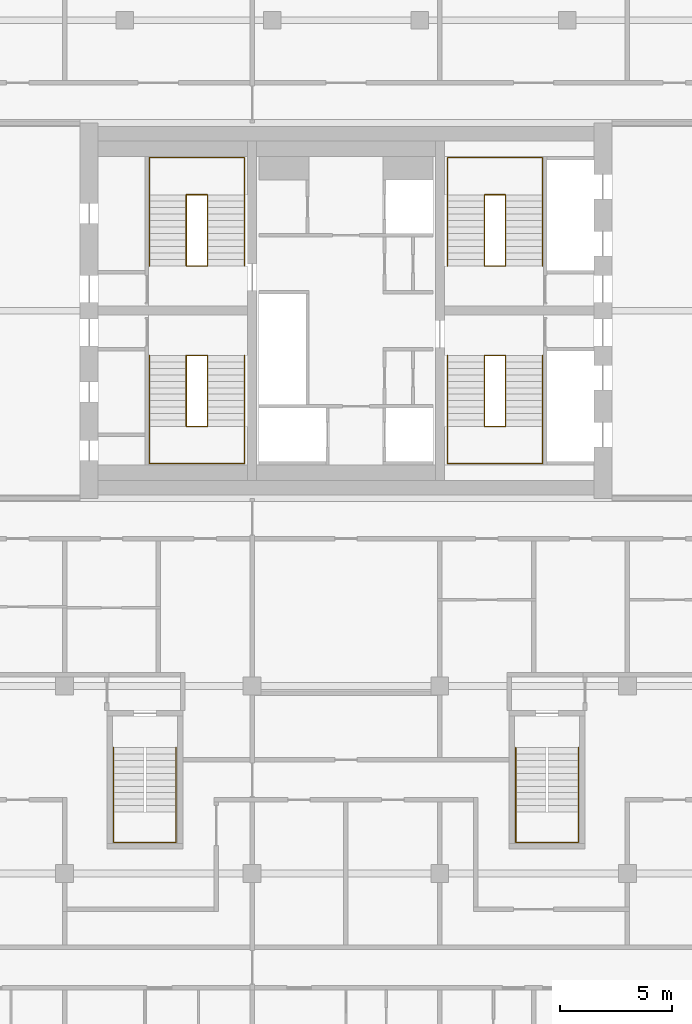
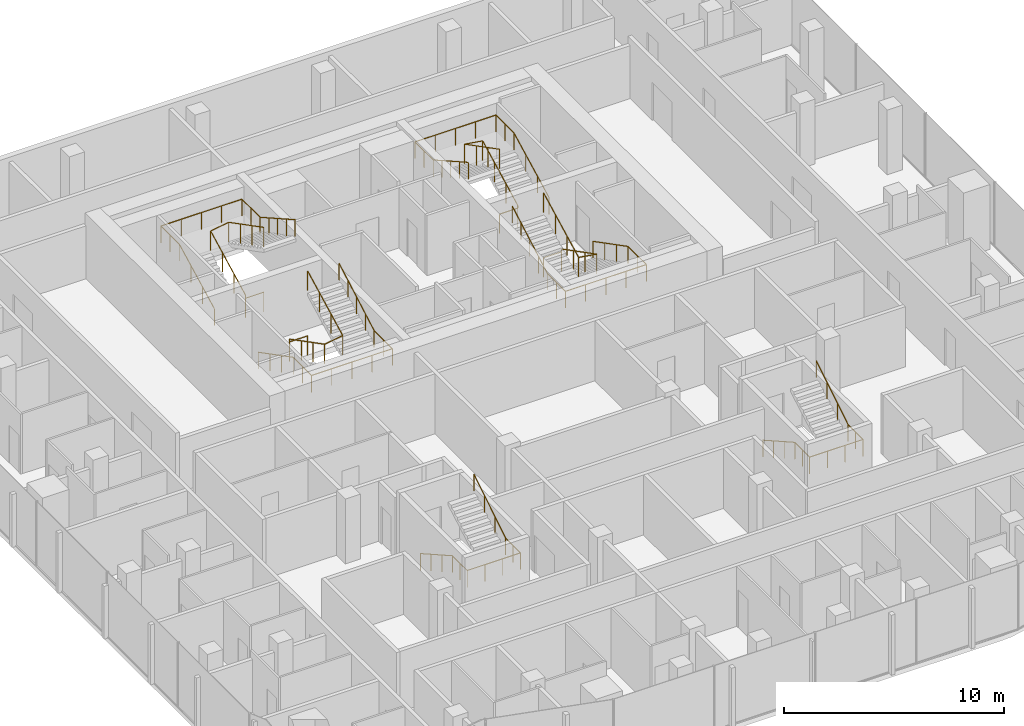
# One storey, part 22 of 22: 10 railings.
"""IFC4 building model written with IfcOpenShell, lengths in metres."""

from ifc_helpers import new_model, si_unit, direction, frame, origin, origin_2d, place, context, subcontext, project, spatial, circle, extrude, material, type_object, element, save


model = new_model("IFC4")

# Units and contexts
model_context = context("Model", 3, precision=1e-05, world=origin(), true_north=direction((0.0, 1.0)))
body_context = subcontext(model_context, "Body", "Model", "MODEL_VIEW")
ifc_project = project(units=[si_unit("LENGTHUNIT", "METRE"), si_unit("AREAUNIT", "SQUARE_METRE"), si_unit("VOLUMEUNIT", "CUBIC_METRE"), si_unit("PLANEANGLEUNIT", "RADIAN"), si_unit("MASSUNIT", "GRAM", prefix="KILO")], contexts=[model_context])

# Site, building, storey
site_placement = place(None, origin())
site = spatial("IfcSite", under=ifc_project, at=site_placement, CompositionType="ELEMENT")
building_placement = place(site_placement, origin())
building = spatial("IfcBuilding", under=site, at=building_placement, Name="Marenta Gate Hotel Tower", CompositionType="ELEMENT")
storey_placement = place(building_placement, frame((0.0, 0.0, 223.699951171875)))
storey = spatial("IfcBuildingStorey", under=building, at=storey_placement, Name="L52", CompositionType="ELEMENT", Elevation=223.699951171875)

# Railings
ifc_material_1 = material(Name="Stainless steel", Category="steel")
railing_type_1 = type_object("IfcRailingType", Name="Core stair handrail 950", PredefinedType="HANDRAIL", material=ifc_material_1)
railing_1_placement = place(storey_placement, frame((-8.800048828125, 6.39990234375, 0.150146484375)))
element("IfcRailing", 1, at=railing_1_placement, inside=storey, type_object=railing_type_1, Name="HR-950 L52-KR-ST1-1", PredefinedType="HANDRAIL", context=body_context, shape_type="SweptSolid", body=[
    extrude(circle(Radius=0.02392578125, at=origin_2d()), frame((0.0, 0.0, 0.92578125), z_axis=(0.0, -0.888225295554, 0.459408123936), x_axis=(1.0, 0.0, 0.0)), (0.0, 0.0, 1.0), 3.59130859375),
    extrude(circle(Radius=0.02392578125, at=origin_2d()), frame((0.0, -3.18994140625, 2.57568359375), z_axis=(0.0, -1.0, 0.0), x_axis=(1.0, 0.0, 0.0)), (0.0, 0.0, 1.0), 1.659912109375),
    extrude(circle(Radius=0.02392578125, at=origin_2d()), frame((0.0, -4.849853515625, 2.57568359375), z_axis=(1.0, 0.0, 0.0), x_axis=(0.0, 1.0, 0.0)), (0.0, 0.0, 1.0), 4.25),
    extrude(circle(Radius=0.02392578125, at=origin_2d()), frame((4.25, -4.849853515625, 2.57568359375), z_axis=(0.0, 1.0, 0.0), x_axis=(-1.0, 0.0, 0.0)), (0.0, 0.0, 1.0), 1.659912109375),
    extrude(circle(Radius=0.02392578125, at=origin_2d()), frame((4.25, -3.18994140625, 2.57568359375), z_axis=(0.0, 0.87090897868, 0.491444351738), x_axis=(-1.0, 0.0, 0.0)), (0.0, 0.0, 1.0), 3.662841796875),
    extrude(circle(Radius=0.02099609375, at=origin_2d()), origin(), (0.0, 0.0, 1.0), 0.90185546875),
    extrude(circle(Radius=0.02099609375, at=origin_2d()), frame((0.0, -1.063232421875, 0.550048828125)), (0.0, 0.0, 1.0), 0.90185546875),
    extrude(circle(Radius=0.02099609375, at=origin_2d()), frame((0.0, -2.126708984375, 1.099853515625)), (0.0, 0.0, 1.0), 0.90185546875),
    extrude(circle(Radius=0.02099609375, at=origin_2d()), frame((0.0, -3.18994140625, 1.64990234375)), (0.0, 0.0, 1.0), 0.90185546875),
    extrude(circle(Radius=0.02099609375, at=origin_2d()), frame((0.0, -4.02001953125, 1.64990234375)), (0.0, 0.0, 1.0), 0.90185546875),
    extrude(circle(Radius=0.02099609375, at=origin_2d()), frame((0.0, -4.849853515625, 1.64990234375)), (0.0, 0.0, 1.0), 0.90185546875),
    extrude(circle(Radius=0.02099609375, at=origin_2d()), frame((1.0625, -4.849853515625, 1.64990234375)), (0.0, 0.0, 1.0), 0.90185546875),
    extrude(circle(Radius=0.02099609375, at=origin_2d()), frame((2.125, -4.849853515625, 1.64990234375)), (0.0, 0.0, 1.0), 0.90185546875),
    extrude(circle(Radius=0.02099609375, at=origin_2d()), frame((3.1875, -4.849853515625, 1.64990234375)), (0.0, 0.0, 1.0), 0.90185546875),
    extrude(circle(Radius=0.02099609375, at=origin_2d()), frame((4.25, -4.849853515625, 1.64990234375)), (0.0, 0.0, 1.0), 0.90185546875),
    extrude(circle(Radius=0.02099609375, at=origin_2d()), frame((4.25, -4.02001953125, 1.64990234375)), (0.0, 0.0, 1.0), 0.90185546875),
    extrude(circle(Radius=0.02099609375, at=origin_2d()), frame((4.25, -3.18994140625, 1.64990234375)), (0.0, 0.0, 1.0), 0.90185546875),
    extrude(circle(Radius=0.02099609375, at=origin_2d()), frame((4.25, -2.392578125, 2.099853515625)), (0.0, 0.0, 1.0), 0.90185546875),
    extrude(circle(Radius=0.02099609375, at=origin_2d()), frame((4.25, -1.594970703125, 2.5498046875)), (0.0, 0.0, 1.0), 0.90185546875),
    extrude(circle(Radius=0.02099609375, at=origin_2d()), frame((4.25, -0.79736328125, 3.0)), (0.0, 0.0, 1.0), 0.90185546875),
    extrude(circle(Radius=0.02099609375, at=origin_2d()), frame((4.25, 0.0, 3.449951171875)), (0.0, 0.0, 1.0), 0.90185546875),
])
railing_2_placement = place(storey_placement, frame((-8.800048828125, 10.39990234375, 0.150146484375)))
element("IfcRailing", 2, at=railing_2_placement, inside=storey, type_object=railing_type_1, Name="HR-950 L52-KR-ST2-1", PredefinedType="HANDRAIL", context=body_context, shape_type="SweptSolid", body=[
    extrude(circle(Radius=0.02392578125, at=origin_2d()), frame((0.0, 0.0, 0.92578125), z_axis=(0.0, 0.888239641807, 0.459380385653), x_axis=(-1.0, 0.0, 0.0)), (0.0, 0.0, 1.0), 3.591552734375),
    extrude(circle(Radius=0.02392578125, at=origin_2d()), frame((0.0, 3.190185546875, 2.57568359375), z_axis=(0.0, 1.0, 0.0), x_axis=(-1.0, 0.0, 0.0)), (0.0, 0.0, 1.0), 1.659912109375),
    extrude(circle(Radius=0.02392578125, at=origin_2d()), frame((0.0, 4.85009765625, 2.57568359375), z_axis=(1.0, 0.0, 0.0), x_axis=(0.0, 1.0, 0.0)), (0.0, 0.0, 1.0), 4.25),
    extrude(circle(Radius=0.02392578125, at=origin_2d()), frame((4.25, 4.85009765625, 2.57568359375), z_axis=(0.0, -1.0, 0.0), x_axis=(1.0, 0.0, 0.0)), (0.0, 0.0, 1.0), 1.659912109375),
    extrude(circle(Radius=0.02392578125, at=origin_2d()), frame((4.25, 3.190185546875, 2.57568359375), z_axis=(0.0, -0.870925075533, 0.491415824742), x_axis=(1.0, 0.0, 0.0)), (0.0, 0.0, 1.0), 3.6630859375),
    extrude(circle(Radius=0.02099609375, at=origin_2d()), origin(), (0.0, 0.0, 1.0), 0.90185546875),
    extrude(circle(Radius=0.02099609375, at=origin_2d()), frame((0.0, 1.0634765625, 0.550048828125)), (0.0, 0.0, 1.0), 0.90185546875),
    extrude(circle(Radius=0.02099609375, at=origin_2d()), frame((0.0, 2.126708984375, 1.099853515625)), (0.0, 0.0, 1.0), 0.90185546875),
    extrude(circle(Radius=0.02099609375, at=origin_2d()), frame((0.0, 3.190185546875, 1.64990234375)), (0.0, 0.0, 1.0), 0.90185546875),
    extrude(circle(Radius=0.02099609375, at=origin_2d()), frame((0.0, 4.02001953125, 1.64990234375)), (0.0, 0.0, 1.0), 0.90185546875),
    extrude(circle(Radius=0.02099609375, at=origin_2d()), frame((0.0, 4.85009765625, 1.64990234375)), (0.0, 0.0, 1.0), 0.90185546875),
    extrude(circle(Radius=0.02099609375, at=origin_2d()), frame((1.0625, 4.85009765625, 1.64990234375)), (0.0, 0.0, 1.0), 0.90185546875),
    extrude(circle(Radius=0.02099609375, at=origin_2d()), frame((2.125, 4.85009765625, 1.64990234375)), (0.0, 0.0, 1.0), 0.90185546875),
    extrude(circle(Radius=0.02099609375, at=origin_2d()), frame((3.1875, 4.85009765625, 1.64990234375)), (0.0, 0.0, 1.0), 0.90185546875),
    extrude(circle(Radius=0.02099609375, at=origin_2d()), frame((4.25, 4.85009765625, 1.64990234375)), (0.0, 0.0, 1.0), 0.90185546875),
    extrude(circle(Radius=0.02099609375, at=origin_2d()), frame((4.25, 4.02001953125, 1.64990234375)), (0.0, 0.0, 1.0), 0.90185546875),
    extrude(circle(Radius=0.02099609375, at=origin_2d()), frame((4.25, 3.190185546875, 1.64990234375)), (0.0, 0.0, 1.0), 0.90185546875),
    extrude(circle(Radius=0.02099609375, at=origin_2d()), frame((4.25, 2.392578125, 2.099853515625)), (0.0, 0.0, 1.0), 0.90185546875),
    extrude(circle(Radius=0.02099609375, at=origin_2d()), frame((4.25, 1.59521484375, 2.5498046875)), (0.0, 0.0, 1.0), 0.90185546875),
    extrude(circle(Radius=0.02099609375, at=origin_2d()), frame((4.25, 0.797607421875, 3.0)), (0.0, 0.0, 1.0), 0.90185546875),
    extrude(circle(Radius=0.02099609375, at=origin_2d()), frame((4.25, 0.0, 3.449951171875)), (0.0, 0.0, 1.0), 0.90185546875),
])
railing_3_placement = place(storey_placement, frame((8.800048828125, 6.39990234375, 0.150146484375)))
element("IfcRailing", 3, at=railing_3_placement, inside=storey, type_object=railing_type_1, Name="HR-950 L52-KR-ST3-1", PredefinedType="HANDRAIL", context=body_context, shape_type="SweptSolid", body=[
    extrude(circle(Radius=0.02392578125, at=origin_2d()), frame((0.0, 0.0, 0.92578125), z_axis=(0.0, -0.888225295554, 0.459408123936), x_axis=(1.0, 0.0, 0.0)), (0.0, 0.0, 1.0), 3.59130859375),
    extrude(circle(Radius=0.02392578125, at=origin_2d()), frame((0.0, -3.18994140625, 2.57568359375), z_axis=(0.0, -1.0, 0.0), x_axis=(1.0, 0.0, 0.0)), (0.0, 0.0, 1.0), 1.659912109375),
    extrude(circle(Radius=0.02392578125, at=origin_2d()), frame((0.0, -4.849853515625, 2.57568359375), z_axis=(-1.0, 0.0, 0.0), x_axis=(0.0, -1.0, 0.0)), (0.0, 0.0, 1.0), 4.25),
    extrude(circle(Radius=0.02392578125, at=origin_2d()), frame((-4.25, -4.849853515625, 2.57568359375), z_axis=(0.0, 1.0, 0.0), x_axis=(-1.0, 0.0, 0.0)), (0.0, 0.0, 1.0), 1.659912109375),
    extrude(circle(Radius=0.02392578125, at=origin_2d()), frame((-4.25, -3.18994140625, 2.57568359375), z_axis=(0.0, 0.87090897868, 0.491444351738), x_axis=(-1.0, 0.0, 0.0)), (0.0, 0.0, 1.0), 3.662841796875),
    extrude(circle(Radius=0.02099609375, at=origin_2d()), origin(), (0.0, 0.0, 1.0), 0.90185546875),
    extrude(circle(Radius=0.02099609375, at=origin_2d()), frame((0.0, -1.063232421875, 0.550048828125)), (0.0, 0.0, 1.0), 0.90185546875),
    extrude(circle(Radius=0.02099609375, at=origin_2d()), frame((0.0, -2.126708984375, 1.099853515625)), (0.0, 0.0, 1.0), 0.90185546875),
    extrude(circle(Radius=0.02099609375, at=origin_2d()), frame((0.0, -3.18994140625, 1.64990234375)), (0.0, 0.0, 1.0), 0.90185546875),
    extrude(circle(Radius=0.02099609375, at=origin_2d()), frame((0.0, -4.02001953125, 1.64990234375)), (0.0, 0.0, 1.0), 0.90185546875),
    extrude(circle(Radius=0.02099609375, at=origin_2d()), frame((0.0, -4.849853515625, 1.64990234375)), (0.0, 0.0, 1.0), 0.90185546875),
    extrude(circle(Radius=0.02099609375, at=origin_2d()), frame((-1.0625, -4.849853515625, 1.64990234375)), (0.0, 0.0, 1.0), 0.90185546875),
    extrude(circle(Radius=0.02099609375, at=origin_2d()), frame((-2.125, -4.849853515625, 1.64990234375)), (0.0, 0.0, 1.0), 0.90185546875),
    extrude(circle(Radius=0.02099609375, at=origin_2d()), frame((-3.1875, -4.849853515625, 1.64990234375)), (0.0, 0.0, 1.0), 0.90185546875),
    extrude(circle(Radius=0.02099609375, at=origin_2d()), frame((-4.25, -4.849853515625, 1.64990234375)), (0.0, 0.0, 1.0), 0.90185546875),
    extrude(circle(Radius=0.02099609375, at=origin_2d()), frame((-4.25, -4.02001953125, 1.64990234375)), (0.0, 0.0, 1.0), 0.90185546875),
    extrude(circle(Radius=0.02099609375, at=origin_2d()), frame((-4.25, -3.18994140625, 1.64990234375)), (0.0, 0.0, 1.0), 0.90185546875),
    extrude(circle(Radius=0.02099609375, at=origin_2d()), frame((-4.25, -2.392578125, 2.099853515625)), (0.0, 0.0, 1.0), 0.90185546875),
    extrude(circle(Radius=0.02099609375, at=origin_2d()), frame((-4.25, -1.594970703125, 2.5498046875)), (0.0, 0.0, 1.0), 0.90185546875),
    extrude(circle(Radius=0.02099609375, at=origin_2d()), frame((-4.25, -0.79736328125, 3.0)), (0.0, 0.0, 1.0), 0.90185546875),
    extrude(circle(Radius=0.02099609375, at=origin_2d()), frame((-4.25, 0.0, 3.449951171875)), (0.0, 0.0, 1.0), 0.90185546875),
])
railing_4_placement = place(storey_placement, frame((8.800048828125, 10.39990234375, 0.150146484375)))
element("IfcRailing", 4, at=railing_4_placement, inside=storey, type_object=railing_type_1, Name="HR-950 L52-KR-ST4-1", PredefinedType="HANDRAIL", context=body_context, shape_type="SweptSolid", body=[
    extrude(circle(Radius=0.02392578125, at=origin_2d()), frame((0.0, 0.0, 0.92578125), z_axis=(0.0, 0.888239641807, 0.459380385653), x_axis=(-1.0, 0.0, 0.0)), (0.0, 0.0, 1.0), 3.591552734375),
    extrude(circle(Radius=0.02392578125, at=origin_2d()), frame((0.0, 3.190185546875, 2.57568359375), z_axis=(0.0, 1.0, 0.0), x_axis=(-1.0, 0.0, 0.0)), (0.0, 0.0, 1.0), 1.659912109375),
    extrude(circle(Radius=0.02392578125, at=origin_2d()), frame((0.0, 4.85009765625, 2.57568359375), z_axis=(-1.0, 0.0, 0.0), x_axis=(0.0, -1.0, 0.0)), (0.0, 0.0, 1.0), 4.25),
    extrude(circle(Radius=0.02392578125, at=origin_2d()), frame((-4.25, 4.85009765625, 2.57568359375), z_axis=(0.0, -1.0, 0.0), x_axis=(1.0, 0.0, 0.0)), (0.0, 0.0, 1.0), 1.659912109375),
    extrude(circle(Radius=0.02392578125, at=origin_2d()), frame((-4.25, 3.190185546875, 2.57568359375), z_axis=(0.0, -0.870925075533, 0.491415824742), x_axis=(1.0, 0.0, 0.0)), (0.0, 0.0, 1.0), 3.6630859375),
    extrude(circle(Radius=0.02099609375, at=origin_2d()), origin(), (0.0, 0.0, 1.0), 0.90185546875),
    extrude(circle(Radius=0.02099609375, at=origin_2d()), frame((0.0, 1.0634765625, 0.550048828125)), (0.0, 0.0, 1.0), 0.90185546875),
    extrude(circle(Radius=0.02099609375, at=origin_2d()), frame((0.0, 2.126708984375, 1.099853515625)), (0.0, 0.0, 1.0), 0.90185546875),
    extrude(circle(Radius=0.02099609375, at=origin_2d()), frame((0.0, 3.190185546875, 1.64990234375)), (0.0, 0.0, 1.0), 0.90185546875),
    extrude(circle(Radius=0.02099609375, at=origin_2d()), frame((0.0, 4.02001953125, 1.64990234375)), (0.0, 0.0, 1.0), 0.90185546875),
    extrude(circle(Radius=0.02099609375, at=origin_2d()), frame((0.0, 4.85009765625, 1.64990234375)), (0.0, 0.0, 1.0), 0.90185546875),
    extrude(circle(Radius=0.02099609375, at=origin_2d()), frame((-1.0625, 4.85009765625, 1.64990234375)), (0.0, 0.0, 1.0), 0.90185546875),
    extrude(circle(Radius=0.02099609375, at=origin_2d()), frame((-2.125, 4.85009765625, 1.64990234375)), (0.0, 0.0, 1.0), 0.90185546875),
    extrude(circle(Radius=0.02099609375, at=origin_2d()), frame((-3.1875, 4.85009765625, 1.64990234375)), (0.0, 0.0, 1.0), 0.90185546875),
    extrude(circle(Radius=0.02099609375, at=origin_2d()), frame((-4.25, 4.85009765625, 1.64990234375)), (0.0, 0.0, 1.0), 0.90185546875),
    extrude(circle(Radius=0.02099609375, at=origin_2d()), frame((-4.25, 4.02001953125, 1.64990234375)), (0.0, 0.0, 1.0), 0.90185546875),
    extrude(circle(Radius=0.02099609375, at=origin_2d()), frame((-4.25, 3.190185546875, 1.64990234375)), (0.0, 0.0, 1.0), 0.90185546875),
    extrude(circle(Radius=0.02099609375, at=origin_2d()), frame((-4.25, 2.392578125, 2.099853515625)), (0.0, 0.0, 1.0), 0.90185546875),
    extrude(circle(Radius=0.02099609375, at=origin_2d()), frame((-4.25, 1.59521484375, 2.5498046875)), (0.0, 0.0, 1.0), 0.90185546875),
    extrude(circle(Radius=0.02099609375, at=origin_2d()), frame((-4.25, 0.797607421875, 3.0)), (0.0, 0.0, 1.0), 0.90185546875),
    extrude(circle(Radius=0.02099609375, at=origin_2d()), frame((-4.25, 0.0, 3.449951171875)), (0.0, 0.0, 1.0), 0.90185546875),
])
railing_5_placement = place(storey_placement, frame((-10.39990234375, -11.14990234375, 0.16357421875)))
element("IfcRailing", 5, at=railing_5_placement, inside=storey, type_object=railing_type_1, Name="HR-950 L52-RS-Z3-1-KR-1", PredefinedType="HANDRAIL", context=body_context, shape_type="SweptSolid", body=[
    extrude(circle(Radius=0.02392578125, at=origin_2d()), frame((0.0, 0.0, 0.92578125), z_axis=(0.0, -0.870914908162, 0.491433843708), x_axis=(1.0, 0.0, 0.0)), (0.0, 0.0, 1.0), 3.330078125),
    extrude(circle(Radius=0.02392578125, at=origin_2d()), frame((0.0, -2.900146484375, 2.5625), z_axis=(0.0, -1.0, 0.0), x_axis=(1.0, 0.0, 0.0)), (0.0, 0.0, 1.0), 1.349853515625),
    extrude(circle(Radius=0.02392578125, at=origin_2d()), frame((0.0, -4.25, 2.5625), z_axis=(1.0, 0.0, 0.0), x_axis=(0.0, 1.0, 0.0)), (0.0, 0.0, 1.0), 2.7998046875),
    extrude(circle(Radius=0.02392578125, at=origin_2d()), frame((2.7998046875, -4.25, 2.5625), z_axis=(0.0, 1.0, 0.0), x_axis=(-1.0, 0.0, 0.0)), (0.0, 0.0, 1.0), 1.349853515625),
    extrude(circle(Radius=0.02392578125, at=origin_2d()), frame((2.7998046875, -2.900146484375, 2.5625), z_axis=(0.0, 0.849645691689, 0.527353959494), x_axis=(-1.0, 0.0, 0.0)), (0.0, 0.0, 1.0), 3.413330078125),
    extrude(circle(Radius=0.02099609375, at=origin_2d()), origin(), (0.0, 0.0, 1.0), 0.90185546875),
    extrude(circle(Radius=0.02099609375, at=origin_2d()), frame((0.0, -0.966796875, 0.54541015625)), (0.0, 0.0, 1.0), 0.90185546875),
    extrude(circle(Radius=0.02099609375, at=origin_2d()), frame((0.0, -1.933349609375, 1.091064453125)), (0.0, 0.0, 1.0), 0.90185546875),
    extrude(circle(Radius=0.02099609375, at=origin_2d()), frame((0.0, -2.900146484375, 1.636474609375)), (0.0, 0.0, 1.0), 0.90185546875),
    extrude(circle(Radius=0.02099609375, at=origin_2d()), frame((0.0, -3.5751953125, 1.636474609375)), (0.0, 0.0, 1.0), 0.90185546875),
    extrude(circle(Radius=0.02099609375, at=origin_2d()), frame((0.0, -4.25, 1.636474609375)), (0.0, 0.0, 1.0), 0.90185546875),
    extrude(circle(Radius=0.02099609375, at=origin_2d()), frame((0.933349609375, -4.25, 1.636474609375)), (0.0, 0.0, 1.0), 0.90185546875),
    extrude(circle(Radius=0.02099609375, at=origin_2d()), frame((1.866455078125, -4.25, 1.636474609375)), (0.0, 0.0, 1.0), 0.90185546875),
    extrude(circle(Radius=0.02099609375, at=origin_2d()), frame((2.7998046875, -4.25, 1.636474609375)), (0.0, 0.0, 1.0), 0.90185546875),
    extrude(circle(Radius=0.02099609375, at=origin_2d()), frame((2.7998046875, -3.5751953125, 1.636474609375)), (0.0, 0.0, 1.0), 0.90185546875),
    extrude(circle(Radius=0.02099609375, at=origin_2d()), frame((2.7998046875, -2.900146484375, 1.636474609375)), (0.0, 0.0, 1.0), 0.90185546875),
    extrude(circle(Radius=0.02099609375, at=origin_2d()), frame((2.7998046875, -1.933349609375, 2.236572265625)), (0.0, 0.0, 1.0), 0.90185546875),
    extrude(circle(Radius=0.02099609375, at=origin_2d()), frame((2.7998046875, -0.966796875, 2.83642578125)), (0.0, 0.0, 1.0), 0.90185546875),
    extrude(circle(Radius=0.02099609375, at=origin_2d()), frame((2.7998046875, 0.0, 3.4365234375)), (0.0, 0.0, 1.0), 0.90185546875),
])
railing_6_placement = place(storey_placement, frame((7.60009765625, -11.14990234375, 0.16357421875)))
element("IfcRailing", 6, at=railing_6_placement, inside=storey, type_object=railing_type_1, Name="HR-950 L52-RS-Z3-2-KR-1", PredefinedType="HANDRAIL", context=body_context, shape_type="SweptSolid", body=[
    extrude(circle(Radius=0.02392578125, at=origin_2d()), frame((0.0, 0.0, 0.92578125), z_axis=(0.0, -0.870914908162, 0.491433843708), x_axis=(1.0, 0.0, 0.0)), (0.0, 0.0, 1.0), 3.330078125),
    extrude(circle(Radius=0.02392578125, at=origin_2d()), frame((0.0, -2.900146484375, 2.5625), z_axis=(0.0, -1.0, 0.0), x_axis=(1.0, 0.0, 0.0)), (0.0, 0.0, 1.0), 1.349853515625),
    extrude(circle(Radius=0.02392578125, at=origin_2d()), frame((0.0, -4.25, 2.5625), z_axis=(1.0, 0.0, 0.0), x_axis=(0.0, 1.0, 0.0)), (0.0, 0.0, 1.0), 2.7998046875),
    extrude(circle(Radius=0.02392578125, at=origin_2d()), frame((2.7998046875, -4.25, 2.5625), z_axis=(0.0, 1.0, 0.0), x_axis=(-1.0, 0.0, 0.0)), (0.0, 0.0, 1.0), 1.349853515625),
    extrude(circle(Radius=0.02392578125, at=origin_2d()), frame((2.7998046875, -2.900146484375, 2.5625), z_axis=(0.0, 0.849645691689, 0.527353959494), x_axis=(-1.0, 0.0, 0.0)), (0.0, 0.0, 1.0), 3.413330078125),
    extrude(circle(Radius=0.02099609375, at=origin_2d()), origin(), (0.0, 0.0, 1.0), 0.90185546875),
    extrude(circle(Radius=0.02099609375, at=origin_2d()), frame((0.0, -0.966796875, 0.54541015625)), (0.0, 0.0, 1.0), 0.90185546875),
    extrude(circle(Radius=0.02099609375, at=origin_2d()), frame((0.0, -1.933349609375, 1.091064453125)), (0.0, 0.0, 1.0), 0.90185546875),
    extrude(circle(Radius=0.02099609375, at=origin_2d()), frame((0.0, -2.900146484375, 1.636474609375)), (0.0, 0.0, 1.0), 0.90185546875),
    extrude(circle(Radius=0.02099609375, at=origin_2d()), frame((0.0, -3.5751953125, 1.636474609375)), (0.0, 0.0, 1.0), 0.90185546875),
    extrude(circle(Radius=0.02099609375, at=origin_2d()), frame((0.0, -4.25, 1.636474609375)), (0.0, 0.0, 1.0), 0.90185546875),
    extrude(circle(Radius=0.02099609375, at=origin_2d()), frame((0.933349609375, -4.25, 1.636474609375)), (0.0, 0.0, 1.0), 0.90185546875),
    extrude(circle(Radius=0.02099609375, at=origin_2d()), frame((1.866455078125, -4.25, 1.636474609375)), (0.0, 0.0, 1.0), 0.90185546875),
    extrude(circle(Radius=0.02099609375, at=origin_2d()), frame((2.7998046875, -4.25, 1.636474609375)), (0.0, 0.0, 1.0), 0.90185546875),
    extrude(circle(Radius=0.02099609375, at=origin_2d()), frame((2.7998046875, -3.5751953125, 1.636474609375)), (0.0, 0.0, 1.0), 0.90185546875),
    extrude(circle(Radius=0.02099609375, at=origin_2d()), frame((2.7998046875, -2.900146484375, 1.636474609375)), (0.0, 0.0, 1.0), 0.90185546875),
    extrude(circle(Radius=0.02099609375, at=origin_2d()), frame((2.7998046875, -1.933349609375, 2.236572265625)), (0.0, 0.0, 1.0), 0.90185546875),
    extrude(circle(Radius=0.02099609375, at=origin_2d()), frame((2.7998046875, -0.966796875, 2.83642578125)), (0.0, 0.0, 1.0), 0.90185546875),
    extrude(circle(Radius=0.02099609375, at=origin_2d()), frame((2.7998046875, 0.0, 3.4365234375)), (0.0, 0.0, 1.0), 0.90185546875),
])
ifc_material_2 = material(Name="Stainless steel", Category="steel")
railing_type_2 = type_object("IfcRailingType", Name="Core stair well guard 1100", PredefinedType="GUARDRAIL", material=ifc_material_2)
railing_7_placement = place(storey_placement, frame((-6.199951171875, 6.39990234375, 0.0)))
element("IfcRailing", 7, at=railing_7_placement, inside=storey, type_object=railing_type_2, Name="GR-1100 L52-KR-ST1-2", PredefinedType="GUARDRAIL", context=body_context, shape_type="SweptSolid", body=[
    extrude(circle(Radius=0.02392578125, at=origin_2d()), frame((0.0, 0.0, 1.076171875), z_axis=(-1.0, 0.0, 0.0), x_axis=(0.0, -1.0, 0.0)), (0.0, 0.0, 1.0), 0.949951171875),
    extrude(circle(Radius=0.02392578125, at=origin_2d()), frame((-0.949951171875, 0.0, 1.076171875), z_axis=(0.0, 0.0, 1.0), x_axis=(1.0, 0.0, 0.0)), (0.0, 0.0, 1.0), 0.150146484375),
    extrude(circle(Radius=0.02392578125, at=origin_2d()), frame((-0.949951171875, 0.0, 1.22607421875), z_axis=(0.0, -0.888225295554, 0.459408123936), x_axis=(1.0, 0.0, 0.0)), (0.0, 0.0, 1.0), 3.59130859375),
    extrude(circle(Radius=0.02392578125, at=origin_2d()), frame((-0.949951171875, -3.18994140625, 2.8759765625), z_axis=(0.987777369502, 0.0, 0.15587131968), x_axis=(0.0, 1.0, 0.0)), (0.0, 0.0, 1.0), 0.961669921875),
    extrude(circle(Radius=0.02392578125, at=origin_2d()), frame((0.0, -3.18994140625, 3.02587890625), z_axis=(0.0, 0.888197555067, 0.459461753765), x_axis=(-1.0, 0.0, 0.0)), (0.0, 0.0, 1.0), 3.591552734375),
    extrude(circle(Radius=0.02099609375, at=origin_2d()), origin(), (0.0, 0.0, 1.0), 1.052001953125),
    extrude(circle(Radius=0.02099609375, at=origin_2d()), frame((-0.949951171875, 0.0, 0.0)), (0.0, 0.0, 1.0), 1.052001953125),
    extrude(circle(Radius=0.02099609375, at=origin_2d()), frame((-0.949951171875, 0.0, 0.150146484375)), (0.0, 0.0, 1.0), 1.052001953125),
    extrude(circle(Radius=0.02099609375, at=origin_2d()), frame((-0.949951171875, -1.063232421875, 0.7001953125)), (0.0, 0.0, 1.0), 1.052001953125),
    extrude(circle(Radius=0.02099609375, at=origin_2d()), frame((-0.949951171875, -2.126708984375, 1.25)), (0.0, 0.0, 1.0), 1.052001953125),
    extrude(circle(Radius=0.02099609375, at=origin_2d()), frame((-0.949951171875, -3.18994140625, 1.800048828125)), (0.0, 0.0, 1.0), 1.052001953125),
    extrude(circle(Radius=0.02099609375, at=origin_2d()), frame((0.0, -3.18994140625, 1.949951171875)), (0.0, 0.0, 1.0), 1.052001953125),
    extrude(circle(Radius=0.02099609375, at=origin_2d()), frame((0.0, -2.126708984375, 2.5)), (0.0, 0.0, 1.0), 1.052001953125),
    extrude(circle(Radius=0.02099609375, at=origin_2d()), frame((0.0, -1.063232421875, 3.050048828125)), (0.0, 0.0, 1.0), 1.052001953125),
    extrude(circle(Radius=0.02099609375, at=origin_2d()), frame((0.0, 0.0, 3.60009765625)), (0.0, 0.0, 1.0), 1.052001953125),
])
railing_8_placement = place(storey_placement, frame((-6.199951171875, 10.39990234375, 0.0)))
element("IfcRailing", 8, at=railing_8_placement, inside=storey, type_object=railing_type_2, Name="GR-1100 L52-KR-ST2-2", PredefinedType="GUARDRAIL", context=body_context, shape_type="SweptSolid", body=[
    extrude(circle(Radius=0.02392578125, at=origin_2d()), frame((0.0, 0.0, 1.076171875), z_axis=(-1.0, 0.0, 0.0), x_axis=(0.0, -1.0, 0.0)), (0.0, 0.0, 1.0), 0.949951171875),
    extrude(circle(Radius=0.02392578125, at=origin_2d()), frame((-0.949951171875, 0.0, 1.076171875), z_axis=(0.0, 0.0, 1.0), x_axis=(1.0, 0.0, 0.0)), (0.0, 0.0, 1.0), 0.150146484375),
    extrude(circle(Radius=0.02392578125, at=origin_2d()), frame((-0.949951171875, 0.0, 1.22607421875), z_axis=(0.0, 0.888239641807, 0.459380385653), x_axis=(-1.0, 0.0, 0.0)), (0.0, 0.0, 1.0), 3.591552734375),
    extrude(circle(Radius=0.02392578125, at=origin_2d()), frame((-0.949951171875, 3.190185546875, 2.8759765625), z_axis=(0.987777369502, 0.0, 0.15587131968), x_axis=(0.0, 1.0, 0.0)), (0.0, 0.0, 1.0), 0.961669921875),
    extrude(circle(Radius=0.02392578125, at=origin_2d()), frame((0.0, 3.190185546875, 3.02587890625), z_axis=(0.0, -0.888211904222, 0.459434013977), x_axis=(1.0, 0.0, 0.0)), (0.0, 0.0, 1.0), 3.591796875),
    extrude(circle(Radius=0.02099609375, at=origin_2d()), origin(), (0.0, 0.0, 1.0), 1.052001953125),
    extrude(circle(Radius=0.02099609375, at=origin_2d()), frame((-0.949951171875, 0.0, 0.0)), (0.0, 0.0, 1.0), 1.052001953125),
    extrude(circle(Radius=0.02099609375, at=origin_2d()), frame((-0.949951171875, 0.0, 0.150146484375)), (0.0, 0.0, 1.0), 1.052001953125),
    extrude(circle(Radius=0.02099609375, at=origin_2d()), frame((-0.949951171875, 1.0634765625, 0.7001953125)), (0.0, 0.0, 1.0), 1.052001953125),
    extrude(circle(Radius=0.02099609375, at=origin_2d()), frame((-0.949951171875, 2.126708984375, 1.25)), (0.0, 0.0, 1.0), 1.052001953125),
    extrude(circle(Radius=0.02099609375, at=origin_2d()), frame((-0.949951171875, 3.190185546875, 1.800048828125)), (0.0, 0.0, 1.0), 1.052001953125),
    extrude(circle(Radius=0.02099609375, at=origin_2d()), frame((0.0, 3.190185546875, 1.949951171875)), (0.0, 0.0, 1.0), 1.052001953125),
    extrude(circle(Radius=0.02099609375, at=origin_2d()), frame((0.0, 2.126708984375, 2.5)), (0.0, 0.0, 1.0), 1.052001953125),
    extrude(circle(Radius=0.02099609375, at=origin_2d()), frame((0.0, 1.0634765625, 3.050048828125)), (0.0, 0.0, 1.0), 1.052001953125),
    extrude(circle(Radius=0.02099609375, at=origin_2d()), frame((0.0, 0.0, 3.60009765625)), (0.0, 0.0, 1.0), 1.052001953125),
])
railing_9_placement = place(storey_placement, frame((6.199951171875, 6.39990234375, 0.0)))
element("IfcRailing", 9, at=railing_9_placement, inside=storey, type_object=railing_type_2, Name="GR-1100 L52-KR-ST3-2", PredefinedType="GUARDRAIL", context=body_context, shape_type="SweptSolid", body=[
    extrude(circle(Radius=0.02392578125, at=origin_2d()), frame((0.0, 0.0, 1.076171875), z_axis=(1.0, 0.0, 0.0), x_axis=(0.0, 1.0, 0.0)), (0.0, 0.0, 1.0), 0.949951171875),
    extrude(circle(Radius=0.02392578125, at=origin_2d()), frame((0.949951171875, 0.0, 1.076171875), z_axis=(0.0, 0.0, 1.0), x_axis=(1.0, 0.0, 0.0)), (0.0, 0.0, 1.0), 0.150146484375),
    extrude(circle(Radius=0.02392578125, at=origin_2d()), frame((0.949951171875, 0.0, 1.22607421875), z_axis=(0.0, -0.888225295554, 0.459408123936), x_axis=(1.0, 0.0, 0.0)), (0.0, 0.0, 1.0), 3.59130859375),
    extrude(circle(Radius=0.02392578125, at=origin_2d()), frame((0.949951171875, -3.18994140625, 2.8759765625), z_axis=(-0.987777369502, 0.0, 0.15587131968), x_axis=(0.0, -1.0, 0.0)), (0.0, 0.0, 1.0), 0.961669921875),
    extrude(circle(Radius=0.02392578125, at=origin_2d()), frame((0.0, -3.18994140625, 3.02587890625), z_axis=(0.0, 0.888197555067, 0.459461753765), x_axis=(-1.0, 0.0, 0.0)), (0.0, 0.0, 1.0), 3.591552734375),
    extrude(circle(Radius=0.02099609375, at=origin_2d()), origin(), (0.0, 0.0, 1.0), 1.052001953125),
    extrude(circle(Radius=0.02099609375, at=origin_2d()), frame((0.949951171875, 0.0, 0.0)), (0.0, 0.0, 1.0), 1.052001953125),
    extrude(circle(Radius=0.02099609375, at=origin_2d()), frame((0.949951171875, 0.0, 0.150146484375)), (0.0, 0.0, 1.0), 1.052001953125),
    extrude(circle(Radius=0.02099609375, at=origin_2d()), frame((0.949951171875, -1.063232421875, 0.7001953125)), (0.0, 0.0, 1.0), 1.052001953125),
    extrude(circle(Radius=0.02099609375, at=origin_2d()), frame((0.949951171875, -2.126708984375, 1.25)), (0.0, 0.0, 1.0), 1.052001953125),
    extrude(circle(Radius=0.02099609375, at=origin_2d()), frame((0.949951171875, -3.18994140625, 1.800048828125)), (0.0, 0.0, 1.0), 1.052001953125),
    extrude(circle(Radius=0.02099609375, at=origin_2d()), frame((0.0, -3.18994140625, 1.949951171875)), (0.0, 0.0, 1.0), 1.052001953125),
    extrude(circle(Radius=0.02099609375, at=origin_2d()), frame((0.0, -2.126708984375, 2.5)), (0.0, 0.0, 1.0), 1.052001953125),
    extrude(circle(Radius=0.02099609375, at=origin_2d()), frame((0.0, -1.063232421875, 3.050048828125)), (0.0, 0.0, 1.0), 1.052001953125),
    extrude(circle(Radius=0.02099609375, at=origin_2d()), frame((0.0, 0.0, 3.60009765625)), (0.0, 0.0, 1.0), 1.052001953125),
])
railing_10_placement = place(storey_placement, frame((6.199951171875, 10.39990234375, 0.0)))
element("IfcRailing", 10, at=railing_10_placement, inside=storey, type_object=railing_type_2, Name="GR-1100 L52-KR-ST4-2", PredefinedType="GUARDRAIL", context=body_context, shape_type="SweptSolid", body=[
    extrude(circle(Radius=0.02392578125, at=origin_2d()), frame((0.0, 0.0, 1.076171875), z_axis=(1.0, 0.0, 0.0), x_axis=(0.0, 1.0, 0.0)), (0.0, 0.0, 1.0), 0.949951171875),
    extrude(circle(Radius=0.02392578125, at=origin_2d()), frame((0.949951171875, 0.0, 1.076171875), z_axis=(0.0, 0.0, 1.0), x_axis=(1.0, 0.0, 0.0)), (0.0, 0.0, 1.0), 0.150146484375),
    extrude(circle(Radius=0.02392578125, at=origin_2d()), frame((0.949951171875, 0.0, 1.22607421875), z_axis=(0.0, 0.888239641807, 0.459380385653), x_axis=(-1.0, 0.0, 0.0)), (0.0, 0.0, 1.0), 3.591552734375),
    extrude(circle(Radius=0.02392578125, at=origin_2d()), frame((0.949951171875, 3.190185546875, 2.8759765625), z_axis=(-0.987777369502, 0.0, 0.15587131968), x_axis=(0.0, -1.0, 0.0)), (0.0, 0.0, 1.0), 0.961669921875),
    extrude(circle(Radius=0.02392578125, at=origin_2d()), frame((0.0, 3.190185546875, 3.02587890625), z_axis=(0.0, -0.888211904222, 0.459434013977), x_axis=(1.0, 0.0, 0.0)), (0.0, 0.0, 1.0), 3.591796875),
    extrude(circle(Radius=0.02099609375, at=origin_2d()), origin(), (0.0, 0.0, 1.0), 1.052001953125),
    extrude(circle(Radius=0.02099609375, at=origin_2d()), frame((0.949951171875, 0.0, 0.0)), (0.0, 0.0, 1.0), 1.052001953125),
    extrude(circle(Radius=0.02099609375, at=origin_2d()), frame((0.949951171875, 0.0, 0.150146484375)), (0.0, 0.0, 1.0), 1.052001953125),
    extrude(circle(Radius=0.02099609375, at=origin_2d()), frame((0.949951171875, 1.0634765625, 0.7001953125)), (0.0, 0.0, 1.0), 1.052001953125),
    extrude(circle(Radius=0.02099609375, at=origin_2d()), frame((0.949951171875, 2.126708984375, 1.25)), (0.0, 0.0, 1.0), 1.052001953125),
    extrude(circle(Radius=0.02099609375, at=origin_2d()), frame((0.949951171875, 3.190185546875, 1.800048828125)), (0.0, 0.0, 1.0), 1.052001953125),
    extrude(circle(Radius=0.02099609375, at=origin_2d()), frame((0.0, 3.190185546875, 1.949951171875)), (0.0, 0.0, 1.0), 1.052001953125),
    extrude(circle(Radius=0.02099609375, at=origin_2d()), frame((0.0, 2.126708984375, 2.5)), (0.0, 0.0, 1.0), 1.052001953125),
    extrude(circle(Radius=0.02099609375, at=origin_2d()), frame((0.0, 1.0634765625, 3.050048828125)), (0.0, 0.0, 1.0), 1.052001953125),
    extrude(circle(Radius=0.02099609375, at=origin_2d()), frame((0.0, 0.0, 3.60009765625)), (0.0, 0.0, 1.0), 1.052001953125),
])

save(model, "model.ifc")
